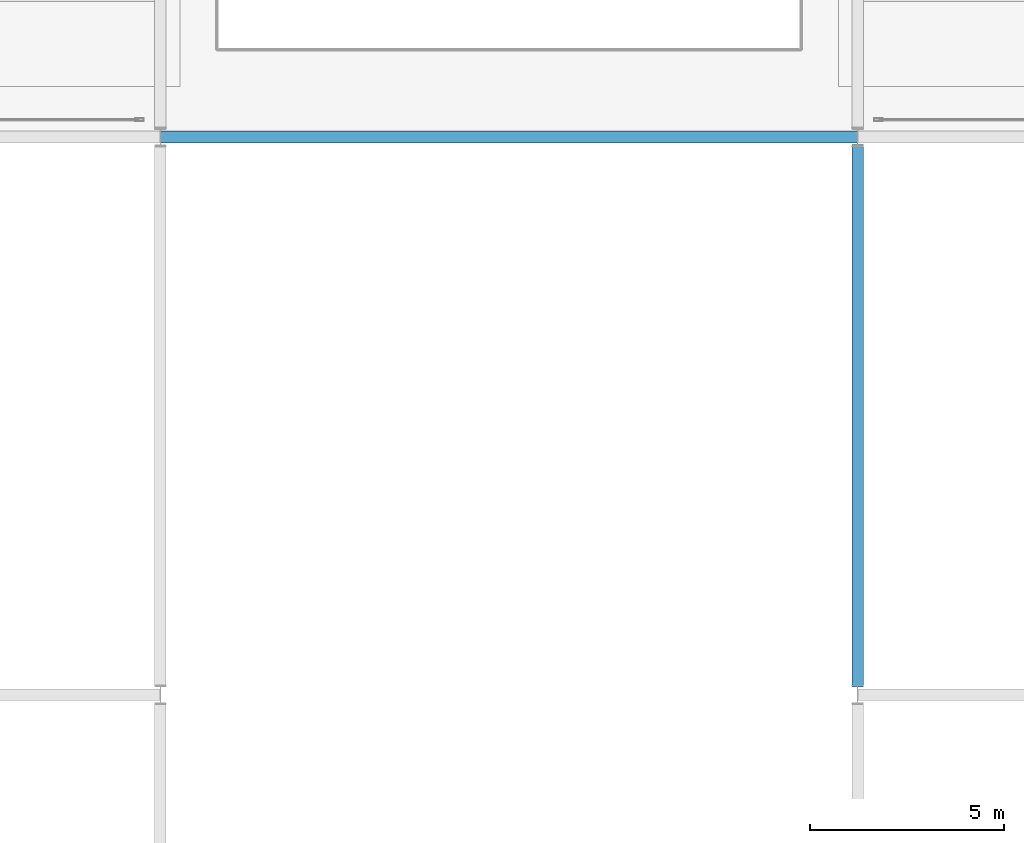
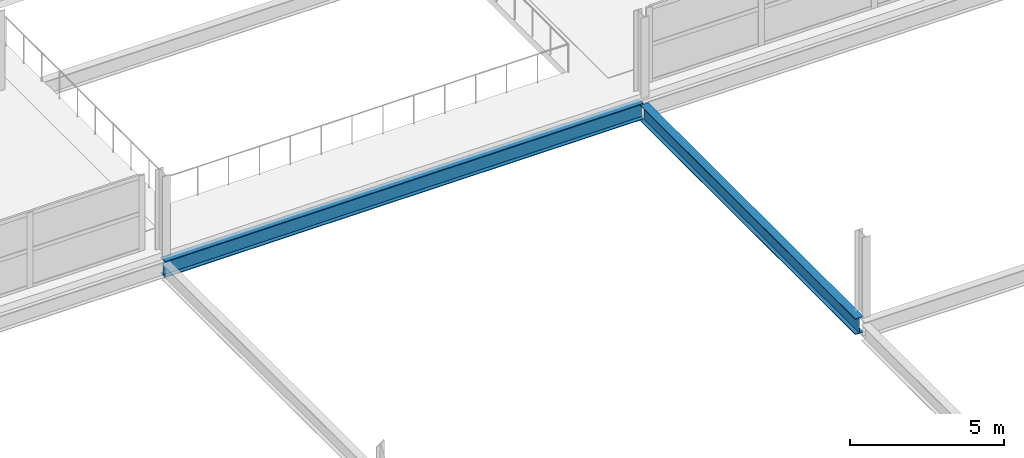
# One storey, part 65 of 134: 2 beams.
"""IFC4 building model written with IfcOpenShell, lengths in metres."""

from ifc_helpers import new_model, si_unit, direction, frame, origin, origin_2d, place, context, subcontext, project, spatial, i_section, extrude, material, material_profile, profile_set, type_object, element, save


model = new_model("IFC4")

# Units and contexts
model_context = context("Model", 3, precision=1e-05, world=origin(), true_north=direction((0.0, 1.0)))
body_context = subcontext(model_context, "Body", "Model", "MODEL_VIEW")
ifc_project = project(units=[si_unit("LENGTHUNIT", "METRE"), si_unit("AREAUNIT", "SQUARE_METRE"), si_unit("VOLUMEUNIT", "CUBIC_METRE"), si_unit("PLANEANGLEUNIT", "RADIAN"), si_unit("MASSUNIT", "GRAM", prefix="KILO")], contexts=[model_context])

# Site, building, storey
site_placement = place(None, origin())
site = spatial("IfcSite", under=ifc_project, at=site_placement, CompositionType="ELEMENT")
building_placement = place(site_placement, origin())
building = spatial("IfcBuilding", under=site, at=building_placement, Name="Tamarisk Ironworks Central Station", CompositionType="ELEMENT")
storey_placement = place(building_placement, frame((0.0, 0.0, 12.60009765625)))
storey = spatial("IfcBuildingStorey", under=building, at=storey_placement, Name="L02", CompositionType="ELEMENT", Elevation=12.60009765625)

# Beams
ifc_material = material(Name="Structural steel S355J2", Category="steel")
ifc_material_profile = material_profile(ifc_material, i_section(OverallWidth=0.300048828125, OverallDepth=0.639892578125, WebThickness=0.013427734375, FlangeThickness=0.02587890625, at=origin_2d()), Name="HEA 650")
ifc_profile_set = profile_set([ifc_material_profile], Name="Structural steel S355J2")
beam_type = type_object("IfcBeamType", Name="BM-G02", PredefinedType="BEAM", material=ifc_profile_set)
beam_1_placement = place(storey_placement, frame((72.00390625, 79.199951171875, -0.60009765625), z_axis=(1.0, 0.0, 0.0), x_axis=(0.0, 1.0, 0.0)))
element("IfcBeam", 1, at=beam_1_placement, inside=storey, type_object=beam_type, Name="L02 primary girder X-0361", PredefinedType="BEAM", context=body_context, shape_type="SweptSolid", body=[
    extrude(i_section(OverallWidth=0.300048828125, OverallDepth=0.639892578125, WebThickness=0.013427734375, FlangeThickness=0.02587890625, at=origin_2d()), origin(), (0.0, 0.0, 1.0), 17.9921875),
])
beam_2_placement = place(storey_placement, frame((90.0, 64.99609375, -0.60009765625), z_axis=(0.0, 1.0, 0.0), x_axis=(-1.0, 0.0, 0.0)))
element("IfcBeam", 2, at=beam_2_placement, inside=storey, type_object=beam_type, Name="L02 primary girder Y-0476", PredefinedType="BEAM", context=body_context, shape_type="SweptSolid", body=[
    extrude(i_section(OverallWidth=0.300048828125, OverallDepth=0.639892578125, WebThickness=0.013427734375, FlangeThickness=0.02587890625, at=origin_2d()), origin(), (0.0, 0.0, 1.0), 14.0078125),
])

save(model, "model.ifc")
